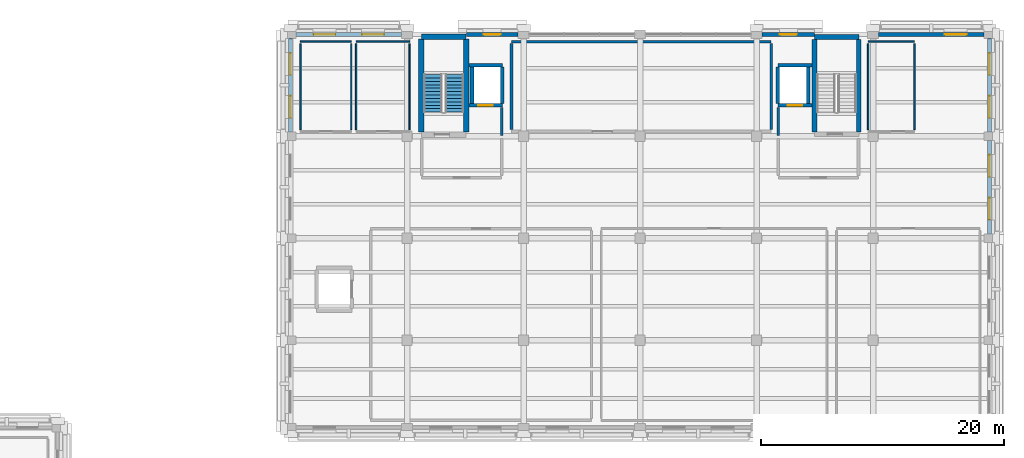
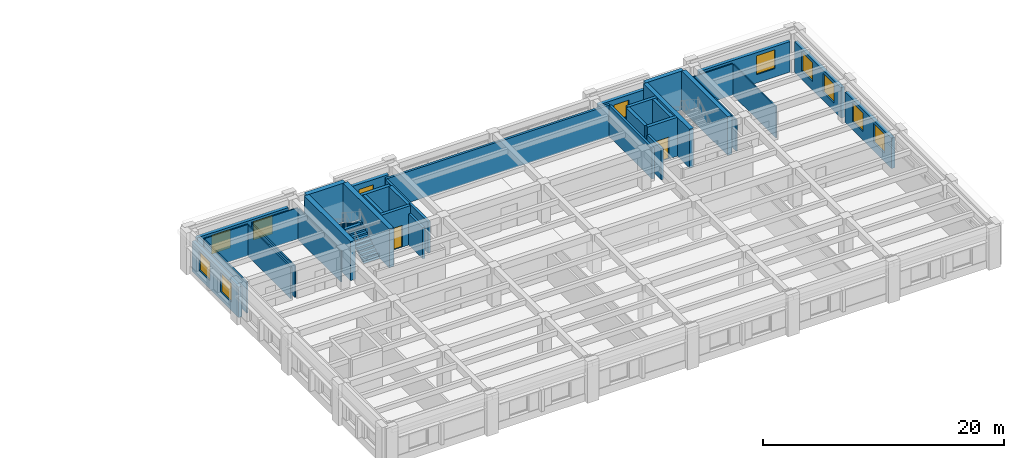
# One storey, part 10 of 17: 35 walls, 11 windows, 2 doors, 2 stair flights, 13 openings, 1 element without a shape of its own.
"""IFC4 building model written with IfcOpenShell, lengths in metres."""

from ifc_helpers import new_model, si_unit, direction, frame, frame_2d, origin, place, context, subcontext, project, spatial, polyline, rectangle, outline, extrude, material, layer, layer_set, type_object, element, fill, aggregate, save


model = new_model("IFC4")

# Units and contexts
model_context = context("Model", 3, precision=1e-05, world=origin(), true_north=direction((0.0, 1.0)))
body_context = subcontext(model_context, "Body", "Model", "MODEL_VIEW")
ifc_project = project(units=[si_unit("LENGTHUNIT", "METRE"), si_unit("AREAUNIT", "SQUARE_METRE"), si_unit("VOLUMEUNIT", "CUBIC_METRE"), si_unit("PLANEANGLEUNIT", "RADIAN"), si_unit("MASSUNIT", "GRAM", prefix="KILO")], contexts=[model_context])

# Site, building, storey
site_placement = place(None, origin())
site = spatial("IfcSite", under=ifc_project, at=site_placement, CompositionType="ELEMENT")
building_placement = place(site_placement, origin())
building = spatial("IfcBuilding", under=site, at=building_placement, Name="Bempovik Park Faculty of Sciences", CompositionType="ELEMENT")
storey_placement = place(building_placement, frame((0.0, 0.0, 22.5)))
storey = spatial("IfcBuildingStorey", under=building, at=storey_placement, Name="L05", CompositionType="ELEMENT", Elevation=22.5)

# Walls
ifc_material_1 = material(Name="Concrete C40/50", Category="concrete")
ifc_layer_1 = layer(ifc_material_1, 0.449951171875)
ifc_layer_set_1 = layer_set([ifc_layer_1], Name="Concrete C40/50")
wall_type_1 = type_object("IfcWallType", Name="W-15 Wall 450mm", PredefinedType="SHEAR", material=ifc_layer_set_1)
for number, where, z_axis, x_axis, name in (
    (1, (70.77490234375, 111.35009765625, 0.0), (0.0, 0.0, 1.0), (0.0, 1.0, 0.0), "ST-1 L05 Core Shear Wall West"),
    (2, (74.47509765625, 111.35009765625, 0.0), (0.0, 0.0, 1.0), (0.0, 1.0, 0.0), "ST-1 L05 Core Shear Wall East"),
):
    element("IfcWall", number, at=place(storey_placement, frame(where, z_axis=z_axis, x_axis=x_axis)), inside=storey, type_object=wall_type_1, Name=name, PredefinedType="SHEAR", context=body_context, shape_type="SweptSolid", body=[
        extrude(rectangle(XDim=7.6748046875, YDim=0.449951171875, at=frame_2d((3.83740234375, 0.0))), origin(), (0.0, 0.0, 1.0), 3.919921875),
    ])
wall_1_placement = place(storey_placement, frame((70.77490234375, 119.22509765625, 0.0), z_axis=(0.0, 0.0, 1.0), x_axis=(1.0, 0.0, 0.0)))
element("IfcWall", 3, at=wall_1_placement, inside=storey, type_object=wall_type_1, Name="ST-1 L05 Core Shear Wall North", PredefinedType="SHEAR", context=body_context, shape_type="SweptSolid", body=[
    extrude(rectangle(XDim=3.7001953125, YDim=0.449951171875, at=frame_2d((1.85009765625, 0.0))), origin(), (0.0, 0.0, 1.0), 3.919921875),
])
ifc_material_2 = material(Name="Gypsum acoustic stud assembly")
ifc_layer_2 = layer(ifc_material_2, 0.1201171875)
ifc_layer_set_2 = layer_set([ifc_layer_2], Name="Gypsum acoustic stud assembly")
wall_type_2 = type_object("IfcWallType", Name="W-17 Wall 120mm", PredefinedType="PARTITIONING", material=ifc_layer_set_2)
wall_2_placement = place(storey_placement, frame((60.800048828125, 118.800048828125, 0.0), z_axis=(0.0, 0.0, 1.0), x_axis=(1.0, 0.0, 0.0)))
element("IfcWall", 4, at=wall_2_placement, inside=storey, type_object=wall_type_2, Name="L05 L05 Male WC Partition North", PredefinedType="PARTITIONING", context=body_context, shape_type="SweptSolid", body=[
    extrude(rectangle(XDim=4.199951171875, YDim=0.1201171875, at=frame_2d((2.10009765625, 0.0))), origin(), (0.0, 0.0, 1.0), 3.14990234375),
])
for number, where, z_axis, x_axis, name in (
    (5, (60.800048828125, 111.56005859375, 0.0), (0.0, 0.0, 1.0), (0.0, 1.0, 0.0), "L05 L05 Male WC Partition West"),
    (6, (65.0, 111.56005859375, 0.0), (0.0, 0.0, 1.0), (0.0, 1.0, 0.0), "L05 L05 Male WC Partition East"),
):
    element("IfcWall", number, at=place(storey_placement, frame(where, z_axis=z_axis, x_axis=x_axis)), inside=storey, type_object=wall_type_2, Name=name, PredefinedType="PARTITIONING", context=body_context, shape_type="SweptSolid", body=[
        extrude(rectangle(XDim=7.079833984375, YDim=0.1201171875, at=frame_2d((3.5400390625, 0.0))), origin(), (0.0, 0.0, 1.0), 3.14990234375),
    ])
wall_3_placement = place(storey_placement, frame((65.39990234375, 118.800048828125, 0.0), z_axis=(0.0, 0.0, 1.0), x_axis=(1.0, 0.0, 0.0)))
element("IfcWall", 7, at=wall_3_placement, inside=storey, type_object=wall_type_2, Name="L05 L05 Female WC Partition North", PredefinedType="PARTITIONING", context=body_context, shape_type="SweptSolid", body=[
    extrude(rectangle(XDim=4.400146484375, YDim=0.1201171875, at=frame_2d((2.2001953125, 0.0))), origin(), (0.0, 0.0, 1.0), 3.14990234375),
])
for number, where, z_axis, x_axis, name in (
    (8, (65.39990234375, 111.56005859375, 0.0), (0.0, 0.0, 1.0), (0.0, 1.0, 0.0), "L05 L05 Female WC Partition West"),
    (9, (69.800048828125, 111.56005859375, 0.0), (0.0, 0.0, 1.0), (0.0, 1.0, 0.0), "L05 L05 Female WC Partition East"),
):
    element("IfcWall", number, at=place(storey_placement, frame(where, z_axis=z_axis, x_axis=x_axis)), inside=storey, type_object=wall_type_2, Name=name, PredefinedType="PARTITIONING", context=body_context, shape_type="SweptSolid", body=[
        extrude(rectangle(XDim=7.079833984375, YDim=0.1201171875, at=frame_2d((3.5400390625, 0.0))), origin(), (0.0, 0.0, 1.0), 3.14990234375),
    ])
wall_4_placement = place(storey_placement, frame((107.60009765625, 118.800048828125, 0.0), z_axis=(0.0, 0.0, 1.0), x_axis=(1.0, 0.0, 0.0)))
element("IfcWall", 10, at=wall_4_placement, inside=storey, type_object=wall_type_2, Name="L05 L05 Accessible WC Partition North", PredefinedType="PARTITIONING", context=body_context, shape_type="SweptSolid", body=[
    extrude(rectangle(XDim=3.7998046875, YDim=0.1201171875, at=frame_2d((1.89990234375, 0.0))), origin(), (0.0, 0.0, 1.0), 3.14990234375),
])
for number, where, z_axis, x_axis, name in (
    (11, (107.60009765625, 111.56005859375, 0.0), (0.0, 0.0, 1.0), (0.0, 1.0, 0.0), "L05 L05 Accessible WC Partition West"),
    (12, (111.39990234375, 111.56005859375, 0.0), (0.0, 0.0, 1.0), (0.0, 1.0, 0.0), "L05 L05 Accessible WC Partition East"),
):
    element("IfcWall", number, at=place(storey_placement, frame(where, z_axis=z_axis, x_axis=x_axis)), inside=storey, type_object=wall_type_2, Name=name, PredefinedType="PARTITIONING", context=body_context, shape_type="SweptSolid", body=[
        extrude(rectangle(XDim=7.079833984375, YDim=0.1201171875, at=frame_2d((3.5400390625, 0.0))), origin(), (0.0, 0.0, 1.0), 3.14990234375),
    ])

# Wall, opening, door
ifc_layer_3 = layer(ifc_material_1, 0.300048828125)
ifc_layer_set_3 = layer_set([ifc_layer_3], Name="Concrete C40/50")
wall_type_3 = type_object("IfcWallType", Name="W-31 Wall 300mm", PredefinedType="SHEAR", material=ifc_layer_set_3)
wall_5_placement = place(storey_placement, frame((74.699951171875, 113.550048828125, 0.0), z_axis=(0.0, 0.0, 1.0), x_axis=(1.0, 0.0, 0.0)))
wall_5 = element("IfcWall", 13, at=wall_5_placement, inside=storey, type_object=wall_type_3, Name="Lift LF-1 L05 Shaft Wall South", PredefinedType="SHEAR", context=body_context, shape_type="SweptSolid", body=[
    extrude(rectangle(XDim=2.75, YDim=0.300048828125, at=frame_2d((1.375, 0.0))), origin(), (0.0, 0.0, 1.0), 3.919921875),
])
opening_1_placement = place(wall_5_placement, frame((0.77490234375, 0.0, 0.0)))
opening_1 = element("IfcOpeningElement", 14, at=opening_1_placement, cuts=wall_5, Name="Opening LD-01", PredefinedType="OPENING", context=body_context, shape_type="SweptSolid", body=[
    extrude(rectangle(XDim=1.199951171875, YDim=2.199951171875, at=frame_2d((0.60009765625, 1.10009765625))), frame((0.0, 0.16015625, 0.0), z_axis=(0.0, -1.0, 0.0), x_axis=(1.0, 0.0, 0.0)), (0.0, 0.0, 1.0), 0.320068359375),
])
ifc_material_3 = material(Name="Painted steel S355", Category="steel")
door_type = type_object("IfcDoorType", Name="LD-01 Door 1200x2200", OperationType="NOTDEFINED", PredefinedType="DOOR", material=ifc_material_3)
door_1_placement = place(opening_1_placement, origin())
door_1 = element("IfcDoor", 15, at=door_1_placement, inside=storey, type_object=door_type, Name="Lift LF-1 L05 Sliding Landing Door", OperationType="SLIDING_TO_LEFT", OverallHeight=2.199951171875, OverallWidth=1.199951171875, PredefinedType="DOOR", context=body_context, shape_type="SweptSolid", body=[
    extrude(rectangle(XDim=1.199951171875, YDim=2.199951171875, at=frame_2d((0.60009765625, 1.10009765625))), frame((0.0, 0.02490234375, 0.0), z_axis=(0.0, -1.0, 0.0), x_axis=(1.0, 0.0, 0.0)), (0.0, 0.0, 1.0), 0.050048828125),
])
fill(opening_1, door_1)

# Walls
wall_6_placement = place(storey_placement, frame((74.699951171875, 116.85009765625, 0.0), z_axis=(0.0, 0.0, 1.0), x_axis=(1.0, 0.0, 0.0)))
element("IfcWall", 16, at=wall_6_placement, inside=storey, type_object=wall_type_3, Name="Lift LF-1 L05 Shaft Wall North", PredefinedType="SHEAR", context=body_context, shape_type="SweptSolid", body=[
    extrude(rectangle(XDim=2.75, YDim=0.300048828125, at=frame_2d((1.375, 0.0))), origin(), (0.0, 0.0, 1.0), 3.919921875),
])
for number, where, z_axis, x_axis, name in (
    (17, (74.949951171875, 113.699951171875, 0.0), (0.0, 0.0, 1.0), (0.0, 1.0, 0.0), "Lift LF-1 L05 Shaft Wall West"),
    (18, (77.449951171875, 113.699951171875, 0.0), (0.0, 0.0, 1.0), (0.0, 1.0, 0.0), "Lift LF-1 L05 Shaft Wall East"),
):
    element("IfcWall", number, at=place(storey_placement, frame(where, z_axis=z_axis, x_axis=x_axis)), inside=storey, type_object=wall_type_3, Name=name, PredefinedType="SHEAR", context=body_context, shape_type="SweptSolid", body=[
        extrude(rectangle(XDim=3.0, YDim=0.300048828125, at=frame_2d((1.5, 0.0))), origin(), (0.0, 0.0, 1.0), 3.919921875),
    ])

# Wall, opening, door
wall_7_placement = place(storey_placement, frame((100.14990234375, 113.550048828125, 0.0), z_axis=(0.0, 0.0, 1.0), x_axis=(1.0, 0.0, 0.0)))
wall_7 = element("IfcWall", 19, at=wall_7_placement, inside=storey, type_object=wall_type_3, Name="Lift LF-2 L05 Shaft Wall South", PredefinedType="SHEAR", context=body_context, shape_type="SweptSolid", body=[
    extrude(rectangle(XDim=2.8251953125, YDim=0.300048828125, at=frame_2d((1.41259765625, 0.0))), origin(), (0.0, 0.0, 1.0), 3.919921875),
])
opening_2_placement = place(wall_7_placement, frame((0.8125, 0.0, 0.0)))
opening_2 = element("IfcOpeningElement", 20, at=opening_2_placement, cuts=wall_7, Name="Opening LD-01", PredefinedType="OPENING", context=body_context, shape_type="SweptSolid", body=[
    extrude(rectangle(XDim=1.199951171875, YDim=2.199951171875, at=frame_2d((0.60009765625, 1.10009765625))), frame((0.0, 0.16015625, 0.0), z_axis=(0.0, -1.0, 0.0), x_axis=(1.0, 0.0, 0.0)), (0.0, 0.0, 1.0), 0.320068359375),
])
door_2_placement = place(opening_2_placement, origin())
door_2 = element("IfcDoor", 21, at=door_2_placement, inside=storey, type_object=door_type, Name="Lift LF-2 L05 Sliding Landing Door", OperationType="SLIDING_TO_LEFT", OverallHeight=2.199951171875, OverallWidth=1.199951171875, PredefinedType="DOOR", context=body_context, shape_type="SweptSolid", body=[
    extrude(rectangle(XDim=1.199951171875, YDim=2.199951171875, at=frame_2d((0.60009765625, 1.10009765625))), frame((0.0, 0.02490234375, 0.0), z_axis=(0.0, -1.0, 0.0), x_axis=(1.0, 0.0, 0.0)), (0.0, 0.0, 1.0), 0.050048828125),
])
fill(opening_2, door_2)

# Walls
wall_8_placement = place(storey_placement, frame((100.14990234375, 116.85009765625, 0.0), z_axis=(0.0, 0.0, 1.0), x_axis=(1.0, 0.0, 0.0)))
element("IfcWall", 22, at=wall_8_placement, inside=storey, type_object=wall_type_3, Name="Lift LF-2 L05 Shaft Wall North", PredefinedType="SHEAR", context=body_context, shape_type="SweptSolid", body=[
    extrude(rectangle(XDim=2.8251953125, YDim=0.300048828125, at=frame_2d((1.41259765625, 0.0))), origin(), (0.0, 0.0, 1.0), 3.919921875),
])
for number, where, z_axis, x_axis, name in (
    (23, (100.14990234375, 113.699951171875, 0.0), (0.0, 0.0, 1.0), (0.0, 1.0, 0.0), "Lift LF-2 L05 Shaft Wall West"),
    (24, (102.64990234375, 113.699951171875, 0.0), (0.0, 0.0, 1.0), (0.0, 1.0, 0.0), "Lift LF-2 L05 Shaft Wall East"),
):
    element("IfcWall", number, at=place(storey_placement, frame(where, z_axis=z_axis, x_axis=x_axis)), inside=storey, type_object=wall_type_3, Name=name, PredefinedType="SHEAR", context=body_context, shape_type="SweptSolid", body=[
        extrude(rectangle(XDim=3.0, YDim=0.300048828125, at=frame_2d((1.5, 0.0))), origin(), (0.0, 0.0, 1.0), 3.919921875),
    ])
ifc_material_4 = material(Name="Concrete C35/45", Category="concrete")
ifc_layer_4 = layer(ifc_material_4, 0.219970703125)
ifc_layer_set_4 = layer_set([ifc_layer_4], Name="Concrete C35/45")
wall_type_4 = type_object("IfcWallType", Name="W-38 Wall 220mm", PredefinedType="PARTITIONING", material=ifc_layer_set_4)
for number, where, z_axis, x_axis, name in (
    (25, (77.39990234375, 111.080078125, 0.0), (0.0, 0.0, 1.0), (0.0, 1.0, 0.0), "L05 Firefighting Lobby West Lift Link Wall"),
    (26, (100.199951171875, 111.080078125, 0.0), (0.0, 0.0, 1.0), (0.0, 1.0, 0.0), "L05 Firefighting Lobby East Lift Link Wall"),
):
    element("IfcWall", number, at=place(storey_placement, frame(where, z_axis=z_axis, x_axis=x_axis)), inside=storey, type_object=wall_type_4, Name=name, PredefinedType="PARTITIONING", context=body_context, shape_type="SweptSolid", body=[
        extrude(rectangle(XDim=2.31982421875, YDim=0.219970703125, at=frame_2d((1.159912109375, 0.0))), origin(), (0.0, 0.0, 1.0), 3.14990234375),
    ])
wall_9_placement = place(storey_placement, frame((78.199951171875, 118.800048828125, 0.0), z_axis=(0.0, 0.0, 1.0), x_axis=(1.0, 0.0, 0.0)))
element("IfcWall", 27, at=wall_9_placement, inside=storey, type_object=wall_type_4, Name="L05 Laboratory Fume-Extract Plant Room Partition North", PredefinedType="PARTITIONING", context=body_context, shape_type="SweptSolid", body=[
    extrude(rectangle(XDim=21.400146484375, YDim=0.219970703125, at=frame_2d((10.7001953125, 0.0))), origin(), (0.0, 0.0, 1.0), 3.14990234375),
])
for number, where, z_axis, x_axis, name in (
    (28, (78.199951171875, 111.56005859375, 0.0), (0.0, 0.0, 1.0), (0.0, 1.0, 0.0), "L05 Laboratory Fume-Extract Plant Room Partition West"),
    (29, (99.60009765625, 111.56005859375, 0.0), (0.0, 0.0, 1.0), (0.0, 1.0, 0.0), "L05 Laboratory Fume-Extract Plant Room Partition East"),
):
    element("IfcWall", number, at=place(storey_placement, frame(where, z_axis=z_axis, x_axis=x_axis)), inside=storey, type_object=wall_type_4, Name=name, PredefinedType="PARTITIONING", context=body_context, shape_type="SweptSolid", body=[
        extrude(rectangle(XDim=7.079833984375, YDim=0.219970703125, at=frame_2d((3.5400390625, 0.0))), origin(), (0.0, 0.0, 1.0), 3.14990234375),
    ])
ifc_layer_5 = layer(ifc_material_1, 0.39990234375)
ifc_layer_set_5 = layer_set([ifc_layer_5], Name="Concrete C40/50")
wall_type_5 = type_object("IfcWallType", Name="W-47 Wall 400mm", PredefinedType="SHEAR", material=ifc_layer_set_5)
for number, where, z_axis, x_axis, name in (
    (30, (103.175048828125, 111.375, 0.0), (0.0, 0.0, 1.0), (0.0, 1.0, 0.0), "ST-2 L05 Core Shear Wall West"),
    (31, (106.824951171875, 111.375, 0.0), (0.0, 0.0, 1.0), (0.0, 1.0, 0.0), "ST-2 L05 Core Shear Wall East"),
):
    element("IfcWall", number, at=place(storey_placement, frame(where, z_axis=z_axis, x_axis=x_axis)), inside=storey, type_object=wall_type_5, Name=name, PredefinedType="SHEAR", context=body_context, shape_type="SweptSolid", body=[
        extrude(rectangle(XDim=7.625, YDim=0.39990234375, at=frame_2d((3.8125, 0.0))), origin(), (0.0, 0.0, 1.0), 3.919921875),
    ])
wall_10_placement = place(storey_placement, frame((103.175048828125, 119.199951171875, 0.0), z_axis=(0.0, 0.0, 1.0), x_axis=(1.0, 0.0, 0.0)))
element("IfcWall", 32, at=wall_10_placement, inside=storey, type_object=wall_type_5, Name="ST-2 L05 Core Shear Wall North", PredefinedType="SHEAR", context=body_context, shape_type="SweptSolid", body=[
    extrude(rectangle(XDim=3.64990234375, YDim=0.39990234375, at=frame_2d((1.824951171875, 0.0))), origin(), (0.0, 0.0, 1.0), 3.919921875),
])

# Wall, openings, windows
ifc_material_5 = material(Name="Precast concrete C40/50", Category="concrete")
ifc_layer_6 = layer(ifc_material_5, 0.320068359375)
ifc_layer_set_6 = layer_set([ifc_layer_6], Name="Precast concrete C40/50")
wall_type_6 = type_object("IfcWallType", Name="W-56 Wall 320mm", PredefinedType="SOLIDWALL", material=ifc_layer_set_6)
wall_11_placement = place(storey_placement, frame((60.0, 111.35205078125, 0.0), z_axis=(0.0, 0.0, 1.0), x_axis=(0.0, 1.0, 0.0)))
wall_11 = element("IfcWall", 33, at=wall_11_placement, inside=storey, type_object=wall_type_6, Name="L05 Classical Precast Facade Wall EW-L05-10132", PredefinedType="SOLIDWALL", context=body_context, shape_type="SweptSolid", body=[
    extrude(rectangle(XDim=7.696044921875, YDim=0.320068359375, at=frame_2d((3.84814453125, 0.0))), origin(), (0.0, 0.0, 1.0), 3.080078125),
])
opening_3_placement = place(wall_11_placement, frame((1.177978515625, 0.0, 0.85009765625)))
opening_3 = element("IfcOpeningElement", 34, at=opening_3_placement, cuts=wall_11, Name="Opening WN-81", PredefinedType="OPENING", context=body_context, shape_type="SweptSolid", body=[
    extrude(rectangle(XDim=1.800048828125, YDim=1.89990234375, at=frame_2d((0.89990234375, 0.949951171875))), frame((0.0, 0.169921875, 0.0), z_axis=(0.0, -1.0, 0.0), x_axis=(1.0, 0.0, 0.0)), (0.0, 0.0, 1.0), 0.340087890625),
])
opening_4_placement = place(wall_11_placement, frame((4.718017578125, 0.0, 0.85009765625)))
opening_4 = element("IfcOpeningElement", 35, at=opening_4_placement, cuts=wall_11, Name="Opening WN-81", PredefinedType="OPENING", context=body_context, shape_type="SweptSolid", body=[
    extrude(rectangle(XDim=1.800048828125, YDim=1.89990234375, at=frame_2d((0.89990234375, 0.949951171875))), frame((0.0, 0.169921875, 0.0), z_axis=(0.0, -1.0, 0.0), x_axis=(1.0, 0.0, 0.0)), (0.0, 0.0, 1.0), 0.340087890625),
])
ifc_material_6 = material(Name="Tempered laminated low-E glass", Category="glass")
window_type_1 = type_object("IfcWindowType", Name="WN-81 Window 1800x1900", PartitioningType="SINGLE_PANEL", PredefinedType="WINDOW", material=ifc_material_6)
window_1_placement = place(opening_3_placement, origin())
window_1 = element("IfcWindow", 36, at=window_1_placement, inside=storey, type_object=window_type_1, Name="L05 Window EW-L05-10132-1", OverallHeight=1.89990234375, OverallWidth=1.800048828125, PartitioningType="SINGLE_PANEL", PredefinedType="WINDOW", context=body_context, shape_type="SweptSolid", body=[
    extrude(rectangle(XDim=1.800048828125, YDim=1.89990234375, at=frame_2d((0.89990234375, 0.949951171875))), frame((0.0, 0.030029296875, 0.0), z_axis=(0.0, -1.0, 0.0), x_axis=(1.0, 0.0, 0.0)), (0.0, 0.0, 1.0), 0.06005859375),
])
fill(opening_3, window_1)
window_2_placement = place(opening_4_placement, origin())
window_2 = element("IfcWindow", 37, at=window_2_placement, inside=storey, type_object=window_type_1, Name="L05 Window EW-L05-10132-2", OverallHeight=1.89990234375, OverallWidth=1.800048828125, PartitioningType="SINGLE_PANEL", PredefinedType="WINDOW", context=body_context, shape_type="SweptSolid", body=[
    extrude(rectangle(XDim=1.800048828125, YDim=1.89990234375, at=frame_2d((0.89990234375, 0.949951171875))), frame((0.0, 0.030029296875, 0.0), z_axis=(0.0, -1.0, 0.0), x_axis=(1.0, 0.0, 0.0)), (0.0, 0.0, 1.0), 0.06005859375),
])
fill(opening_4, window_2)

wall_12_placement = place(storey_placement, frame((60.451904296875, 119.39990234375, 0.0), z_axis=(0.0, 0.0, 1.0), x_axis=(1.0, 0.0, 0.0)))
wall_12 = element("IfcWall", 38, at=wall_12_placement, inside=storey, type_object=wall_type_6, Name="L05 Classical Precast Facade Wall EW-L05-10145", PredefinedType="SOLIDWALL", context=body_context, shape_type="SweptSolid", body=[
    extrude(rectangle(XDim=8.696044921875, YDim=0.320068359375, at=frame_2d((4.34814453125, 0.0))), origin(), (0.0, 0.0, 1.0), 3.080078125),
])
opening_5_placement = place(wall_12_placement, frame((1.447998046875, 0.0, 0.85009765625)))
opening_5 = element("IfcOpeningElement", 39, at=opening_5_placement, cuts=wall_12, Name="Opening WN-81", PredefinedType="OPENING", context=body_context, shape_type="SweptSolid", body=[
    extrude(rectangle(XDim=1.800048828125, YDim=1.89990234375, at=frame_2d((0.89990234375, 0.949951171875))), frame((0.0, 0.169921875, 0.0), z_axis=(0.0, -1.0, 0.0), x_axis=(1.0, 0.0, 0.0)), (0.0, 0.0, 1.0), 0.340087890625),
])
opening_6_placement = place(wall_12_placement, frame((5.447998046875, 0.0, 0.85009765625)))
opening_6 = element("IfcOpeningElement", 40, at=opening_6_placement, cuts=wall_12, Name="Opening WN-81", PredefinedType="OPENING", context=body_context, shape_type="SweptSolid", body=[
    extrude(rectangle(XDim=1.800048828125, YDim=1.89990234375, at=frame_2d((0.89990234375, 0.949951171875))), frame((0.0, 0.169921875, 0.0), z_axis=(0.0, -1.0, 0.0), x_axis=(1.0, 0.0, 0.0)), (0.0, 0.0, 1.0), 0.340087890625),
])
window_3_placement = place(opening_5_placement, origin())
window_3 = element("IfcWindow", 41, at=window_3_placement, inside=storey, type_object=window_type_1, Name="L05 Window EW-L05-10145-1", OverallHeight=1.89990234375, OverallWidth=1.800048828125, PartitioningType="SINGLE_PANEL", PredefinedType="WINDOW", context=body_context, shape_type="SweptSolid", body=[
    extrude(rectangle(XDim=1.800048828125, YDim=1.89990234375, at=frame_2d((0.89990234375, 0.949951171875))), frame((0.0, 0.030029296875, 0.0), z_axis=(0.0, -1.0, 0.0), x_axis=(1.0, 0.0, 0.0)), (0.0, 0.0, 1.0), 0.06005859375),
])
fill(opening_5, window_3)
window_4_placement = place(opening_6_placement, origin())
window_4 = element("IfcWindow", 42, at=window_4_placement, inside=storey, type_object=window_type_1, Name="L05 Window EW-L05-10145-2", OverallHeight=1.89990234375, OverallWidth=1.800048828125, PartitioningType="SINGLE_PANEL", PredefinedType="WINDOW", context=body_context, shape_type="SweptSolid", body=[
    extrude(rectangle(XDim=1.800048828125, YDim=1.89990234375, at=frame_2d((0.89990234375, 0.949951171875))), frame((0.0, 0.030029296875, 0.0), z_axis=(0.0, -1.0, 0.0), x_axis=(1.0, 0.0, 0.0)), (0.0, 0.0, 1.0), 0.06005859375),
])
fill(opening_6, window_4)

# Wall, opening, window
wall_13_placement = place(storey_placement, frame((74.47607421875, 119.39990234375, 0.0), z_axis=(0.0, 0.0, 1.0), x_axis=(1.0, 0.0, 0.0)))
wall_13 = element("IfcWall", 43, at=wall_13_placement, inside=storey, type_object=wall_type_6, Name="L05 Classical Precast Facade Wall EW-L05-10159", PredefinedType="SOLIDWALL", context=body_context, shape_type="SweptSolid", body=[
    extrude(rectangle(XDim=4.27197265625, YDim=0.320068359375, at=frame_2d((2.135986328125, 0.0))), origin(), (0.0, 0.0, 1.0), 3.080078125),
])
opening_7_placement = place(wall_13_placement, frame((1.43603515625, 0.0, 0.89990234375)))
opening_7 = element("IfcOpeningElement", 44, at=opening_7_placement, cuts=wall_13, Name="Opening WN-84", PredefinedType="OPENING", context=body_context, shape_type="SweptSolid", body=[
    extrude(rectangle(XDim=1.39990234375, YDim=1.64990234375, at=frame_2d((0.699951171875, 0.824951171875))), frame((0.0, 0.169921875, 0.0), z_axis=(0.0, -1.0, 0.0), x_axis=(1.0, 0.0, 0.0)), (0.0, 0.0, 1.0), 0.340087890625),
])
window_type_2 = type_object("IfcWindowType", Name="WN-84 Window 1400x1650", PartitioningType="SINGLE_PANEL", PredefinedType="WINDOW", material=ifc_material_6)
window_5_placement = place(opening_7_placement, origin())
window_5 = element("IfcWindow", 45, at=window_5_placement, inside=storey, type_object=window_type_2, Name="L05 Stairwell Classical Lancet Window EW-L05-10159", OverallHeight=1.64990234375, OverallWidth=1.39990234375, PartitioningType="SINGLE_PANEL", PredefinedType="WINDOW", context=body_context, shape_type="SweptSolid", body=[
    extrude(rectangle(XDim=1.39990234375, YDim=1.64990234375, at=frame_2d((0.699951171875, 0.824951171875))), frame((0.0, 0.030029296875, 0.0), z_axis=(0.0, -1.0, 0.0), x_axis=(1.0, 0.0, 0.0)), (0.0, 0.0, 1.0), 0.06005859375),
])
fill(opening_7, window_5)

wall_14_placement = place(storey_placement, frame((98.85205078125, 119.39990234375, 0.0), z_axis=(0.0, 0.0, 1.0), x_axis=(1.0, 0.0, 0.0)))
wall_14 = element("IfcWall", 46, at=wall_14_placement, inside=storey, type_object=wall_type_6, Name="L05 Classical Precast Facade Wall EW-L05-10202", PredefinedType="SOLIDWALL", context=body_context, shape_type="SweptSolid", body=[
    extrude(rectangle(XDim=4.322021484375, YDim=0.320068359375, at=frame_2d((2.1611328125, 0.0))), origin(), (0.0, 0.0, 1.0), 3.080078125),
])
opening_8_placement = place(wall_14_placement, frame((1.4609375, 0.0, 0.89990234375)))
opening_8 = element("IfcOpeningElement", 47, at=opening_8_placement, cuts=wall_14, Name="Opening WN-84", PredefinedType="OPENING", context=body_context, shape_type="SweptSolid", body=[
    extrude(rectangle(XDim=1.39990234375, YDim=1.64990234375, at=frame_2d((0.699951171875, 0.824951171875))), frame((0.0, 0.169921875, 0.0), z_axis=(0.0, -1.0, 0.0), x_axis=(1.0, 0.0, 0.0)), (0.0, 0.0, 1.0), 0.340087890625),
])
window_6_placement = place(opening_8_placement, origin())
window_6 = element("IfcWindow", 48, at=window_6_placement, inside=storey, type_object=window_type_2, Name="L05 Stairwell Classical Lancet Window EW-L05-10202", OverallHeight=1.64990234375, OverallWidth=1.39990234375, PartitioningType="SINGLE_PANEL", PredefinedType="WINDOW", context=body_context, shape_type="SweptSolid", body=[
    extrude(rectangle(XDim=1.39990234375, YDim=1.64990234375, at=frame_2d((0.699951171875, 0.824951171875))), frame((0.0, 0.030029296875, 0.0), z_axis=(0.0, -1.0, 0.0), x_axis=(1.0, 0.0, 0.0)), (0.0, 0.0, 1.0), 0.06005859375),
])
fill(opening_8, window_6)

wall_15_placement = place(storey_placement, frame((108.451904296875, 119.39990234375, 0.0), z_axis=(0.0, 0.0, 1.0), x_axis=(1.0, 0.0, 0.0)))
wall_15 = element("IfcWall", 49, at=wall_15_placement, inside=storey, type_object=wall_type_6, Name="L05 Classical Precast Facade Wall EW-L05-10210", PredefinedType="SOLIDWALL", context=body_context, shape_type="SweptSolid", body=[
    extrude(rectangle(XDim=8.696044921875, YDim=0.320068359375, at=frame_2d((4.34814453125, 0.0))), origin(), (0.0, 0.0, 1.0), 3.080078125),
])
opening_9_placement = place(wall_15_placement, frame((5.447998046875, 0.0, 0.85009765625)))
opening_9 = element("IfcOpeningElement", 50, at=opening_9_placement, cuts=wall_15, Name="Opening WN-81", PredefinedType="OPENING", context=body_context, shape_type="SweptSolid", body=[
    extrude(rectangle(XDim=1.800048828125, YDim=1.89990234375, at=frame_2d((0.89990234375, 0.949951171875))), frame((0.0, 0.169921875, 0.0), z_axis=(0.0, -1.0, 0.0), x_axis=(1.0, 0.0, 0.0)), (0.0, 0.0, 1.0), 0.340087890625),
])
window_7_placement = place(opening_9_placement, origin())
window_7 = element("IfcWindow", 51, at=window_7_placement, inside=storey, type_object=window_type_1, Name="L05 Window EW-L05-10210-2", OverallHeight=1.89990234375, OverallWidth=1.800048828125, PartitioningType="SINGLE_PANEL", PredefinedType="WINDOW", context=body_context, shape_type="SweptSolid", body=[
    extrude(rectangle(XDim=1.800048828125, YDim=1.89990234375, at=frame_2d((0.89990234375, 0.949951171875))), frame((0.0, 0.030029296875, 0.0), z_axis=(0.0, -1.0, 0.0), x_axis=(1.0, 0.0, 0.0)), (0.0, 0.0, 1.0), 0.06005859375),
])
fill(opening_9, window_7)

# Wall, openings, windows
wall_16_placement = place(storey_placement, frame((117.60009765625, 102.951904296875, 0.0), z_axis=(0.0, 0.0, 1.0), x_axis=(0.0, 1.0, 0.0)))
wall_16 = element("IfcWall", 52, at=wall_16_placement, inside=storey, type_object=wall_type_6, Name="L05 Classical Precast Facade Wall EW-L05-10248", PredefinedType="SOLIDWALL", context=body_context, shape_type="SweptSolid", body=[
    extrude(rectangle(XDim=7.696044921875, YDim=0.320068359375, at=frame_2d((3.84814453125, 0.0))), origin(), (0.0, 0.0, 1.0), 3.080078125),
])
opening_10_placement = place(wall_16_placement, frame((1.177978515625, 0.0, 0.85009765625)))
opening_10 = element("IfcOpeningElement", 53, at=opening_10_placement, cuts=wall_16, Name="Opening WN-81", PredefinedType="OPENING", context=body_context, shape_type="SweptSolid", body=[
    extrude(rectangle(XDim=1.800048828125, YDim=1.89990234375, at=frame_2d((0.89990234375, 0.949951171875))), frame((0.0, 0.169921875, 0.0), z_axis=(0.0, -1.0, 0.0), x_axis=(1.0, 0.0, 0.0)), (0.0, 0.0, 1.0), 0.340087890625),
])
opening_11_placement = place(wall_16_placement, frame((4.718017578125, 0.0, 0.85009765625)))
opening_11 = element("IfcOpeningElement", 54, at=opening_11_placement, cuts=wall_16, Name="Opening WN-81", PredefinedType="OPENING", context=body_context, shape_type="SweptSolid", body=[
    extrude(rectangle(XDim=1.800048828125, YDim=1.89990234375, at=frame_2d((0.89990234375, 0.949951171875))), frame((0.0, 0.169921875, 0.0), z_axis=(0.0, -1.0, 0.0), x_axis=(1.0, 0.0, 0.0)), (0.0, 0.0, 1.0), 0.340087890625),
])
window_8_placement = place(opening_10_placement, origin())
window_8 = element("IfcWindow", 55, at=window_8_placement, inside=storey, type_object=window_type_1, Name="L05 Window EW-L05-10248-1", OverallHeight=1.89990234375, OverallWidth=1.800048828125, PartitioningType="SINGLE_PANEL", PredefinedType="WINDOW", context=body_context, shape_type="SweptSolid", body=[
    extrude(rectangle(XDim=1.800048828125, YDim=1.89990234375, at=frame_2d((0.89990234375, 0.949951171875))), frame((0.0, 0.030029296875, 0.0), z_axis=(0.0, -1.0, 0.0), x_axis=(1.0, 0.0, 0.0)), (0.0, 0.0, 1.0), 0.06005859375),
])
fill(opening_10, window_8)
window_9_placement = place(opening_11_placement, origin())
window_9 = element("IfcWindow", 56, at=window_9_placement, inside=storey, type_object=window_type_1, Name="L05 Window EW-L05-10248-2", OverallHeight=1.89990234375, OverallWidth=1.800048828125, PartitioningType="SINGLE_PANEL", PredefinedType="WINDOW", context=body_context, shape_type="SweptSolid", body=[
    extrude(rectangle(XDim=1.800048828125, YDim=1.89990234375, at=frame_2d((0.89990234375, 0.949951171875))), frame((0.0, 0.030029296875, 0.0), z_axis=(0.0, -1.0, 0.0), x_axis=(1.0, 0.0, 0.0)), (0.0, 0.0, 1.0), 0.06005859375),
])
fill(opening_11, window_9)

wall_17_placement = place(storey_placement, frame((117.60009765625, 111.35205078125, 0.0), z_axis=(0.0, 0.0, 1.0), x_axis=(0.0, 1.0, 0.0)))
wall_17 = element("IfcWall", 57, at=wall_17_placement, inside=storey, type_object=wall_type_6, Name="L05 Classical Precast Facade Wall EW-L05-10261", PredefinedType="SOLIDWALL", context=body_context, shape_type="SweptSolid", body=[
    extrude(rectangle(XDim=7.696044921875, YDim=0.320068359375, at=frame_2d((3.84814453125, 0.0))), origin(), (0.0, 0.0, 1.0), 3.080078125),
])
opening_12_placement = place(wall_17_placement, frame((1.177978515625, 0.0, 0.85009765625)))
opening_12 = element("IfcOpeningElement", 58, at=opening_12_placement, cuts=wall_17, Name="Opening WN-81", PredefinedType="OPENING", context=body_context, shape_type="SweptSolid", body=[
    extrude(rectangle(XDim=1.800048828125, YDim=1.89990234375, at=frame_2d((0.89990234375, 0.949951171875))), frame((0.0, 0.169921875, 0.0), z_axis=(0.0, -1.0, 0.0), x_axis=(1.0, 0.0, 0.0)), (0.0, 0.0, 1.0), 0.340087890625),
])
opening_13_placement = place(wall_17_placement, frame((4.718017578125, 0.0, 0.85009765625)))
opening_13 = element("IfcOpeningElement", 59, at=opening_13_placement, cuts=wall_17, Name="Opening WN-81", PredefinedType="OPENING", context=body_context, shape_type="SweptSolid", body=[
    extrude(rectangle(XDim=1.800048828125, YDim=1.89990234375, at=frame_2d((0.89990234375, 0.949951171875))), frame((0.0, 0.169921875, 0.0), z_axis=(0.0, -1.0, 0.0), x_axis=(1.0, 0.0, 0.0)), (0.0, 0.0, 1.0), 0.340087890625),
])
window_10_placement = place(opening_12_placement, origin())
window_10 = element("IfcWindow", 60, at=window_10_placement, inside=storey, type_object=window_type_1, Name="L05 Window EW-L05-10261-1", OverallHeight=1.89990234375, OverallWidth=1.800048828125, PartitioningType="SINGLE_PANEL", PredefinedType="WINDOW", context=body_context, shape_type="SweptSolid", body=[
    extrude(rectangle(XDim=1.800048828125, YDim=1.89990234375, at=frame_2d((0.89990234375, 0.949951171875))), frame((0.0, 0.030029296875, 0.0), z_axis=(0.0, -1.0, 0.0), x_axis=(1.0, 0.0, 0.0)), (0.0, 0.0, 1.0), 0.06005859375),
])
fill(opening_12, window_10)
window_11_placement = place(opening_13_placement, origin())
window_11 = element("IfcWindow", 61, at=window_11_placement, inside=storey, type_object=window_type_1, Name="L05 Window EW-L05-10261-2", OverallHeight=1.89990234375, OverallWidth=1.800048828125, PartitioningType="SINGLE_PANEL", PredefinedType="WINDOW", context=body_context, shape_type="SweptSolid", body=[
    extrude(rectangle(XDim=1.800048828125, YDim=1.89990234375, at=frame_2d((0.89990234375, 0.949951171875))), frame((0.0, 0.030029296875, 0.0), z_axis=(0.0, -1.0, 0.0), x_axis=(1.0, 0.0, 0.0)), (0.0, 0.0, 1.0), 0.06005859375),
])
fill(opening_13, window_11)

# Stair, stair flights
stair_type = type_object("IfcStairType", Name="ST-16 Stair W1500 H4200", PredefinedType="HALF_TURN_STAIR", material=ifc_material_4)
stair_placement = place(storey_placement, origin())
stair = element("IfcStair", 62, at=stair_placement, inside=storey, type_object=stair_type, Name="L05 ST-1 Dog-Leg Exit Stair", PredefinedType="HALF_TURN_STAIR")
stair_flight_type = type_object("IfcStairFlightType", Name="FL-13 Flight W1500 H4200", PredefinedType="STRAIGHT", material=ifc_material_4)
stair_flight_1_placement = place(storey_placement, frame((73.5, 113.0, 0.0), z_axis=(0.0, 0.0, 1.0), x_axis=(0.0, 1.0, 0.0)))
stair_flight_1 = element("IfcStairFlight", 63, at=stair_flight_1_placement, type_object=stair_flight_type, Name="ST-16 flight 1", NumberOfRisers=12, NumberOfTreads=11, PredefinedType="STRAIGHT", RiserHeight=0.175, TreadLength=0.28125, context=body_context, shape_type="SweptSolid", body=[
    extrude(outline(polyline([(0.0, 0.0), (0.0, 0.175048828125), (0.28125, 0.175048828125), (0.28125, 0.35009765625), (0.5625, 0.35009765625), (0.5625, 0.52490234375), (0.84375, 0.52490234375), (0.84375, 0.699951171875), (1.125, 0.699951171875), (1.125, 0.875), (1.40625, 0.875), (1.40625, 1.050048828125), (1.6875, 1.050048828125), (1.6875, 1.22509765625), (1.96875, 1.22509765625), (1.96875, 1.39990234375), (2.25, 1.39990234375), (2.25, 1.574951171875), (2.53125, 1.574951171875), (2.53125, 1.75), (2.8125, 1.75), (2.8125, 1.925048828125), (3.09375, 1.925048828125), (3.09375, 2.10009765625), (3.09375, 1.74853515625), (0.28369140625, 0.0), (0.0625, -0.0625), (0.0, -0.0625), (0.0, 0.0)])), frame((0.0, 0.75, 0.0), z_axis=(0.0, -1.0, 0.0), x_axis=(1.0, 0.0, 0.0)), (0.0, 0.0, 1.0), 1.5),
])
stair_flight_2_placement = place(storey_placement, frame((71.75, 116.09375, 2.10009765625), z_axis=(0.0, 0.0, 1.0), x_axis=(0.0, -1.0, 0.0)))
stair_flight_2 = element("IfcStairFlight", 64, at=stair_flight_2_placement, type_object=stair_flight_type, Name="ST-16 flight 2", NumberOfRisers=12, NumberOfTreads=11, PredefinedType="STRAIGHT", RiserHeight=0.175, TreadLength=0.28125, context=body_context, shape_type="SweptSolid", body=[
    extrude(outline(polyline([(0.0, 0.0), (0.0, 0.175048828125), (0.28125, 0.175048828125), (0.28125, 0.35009765625), (0.5625, 0.35009765625), (0.5625, 0.52490234375), (0.84375, 0.52490234375), (0.84375, 0.699951171875), (1.125, 0.699951171875), (1.125, 0.875), (1.40625, 0.875), (1.40625, 1.050048828125), (1.6875, 1.050048828125), (1.6875, 1.22509765625), (1.96875, 1.22509765625), (1.96875, 1.39990234375), (2.25, 1.39990234375), (2.25, 1.574951171875), (2.53125, 1.574951171875), (2.53125, 1.75), (2.8125, 1.75), (2.8125, 1.925048828125), (3.09375, 1.925048828125), (3.09375, 2.10009765625), (3.09375, 1.74853515625), (0.28369140625, 0.0), (0.0625, -0.0625), (0.0, -0.0625), (0.0, 0.0)])), frame((0.0, 0.75, 0.0), z_axis=(0.0, -1.0, 0.0), x_axis=(1.0, 0.0, 0.0)), (0.0, 0.0, 1.0), 1.5),
])
aggregate(stair, [stair_flight_1, stair_flight_2])

save(model, "model.ifc")
